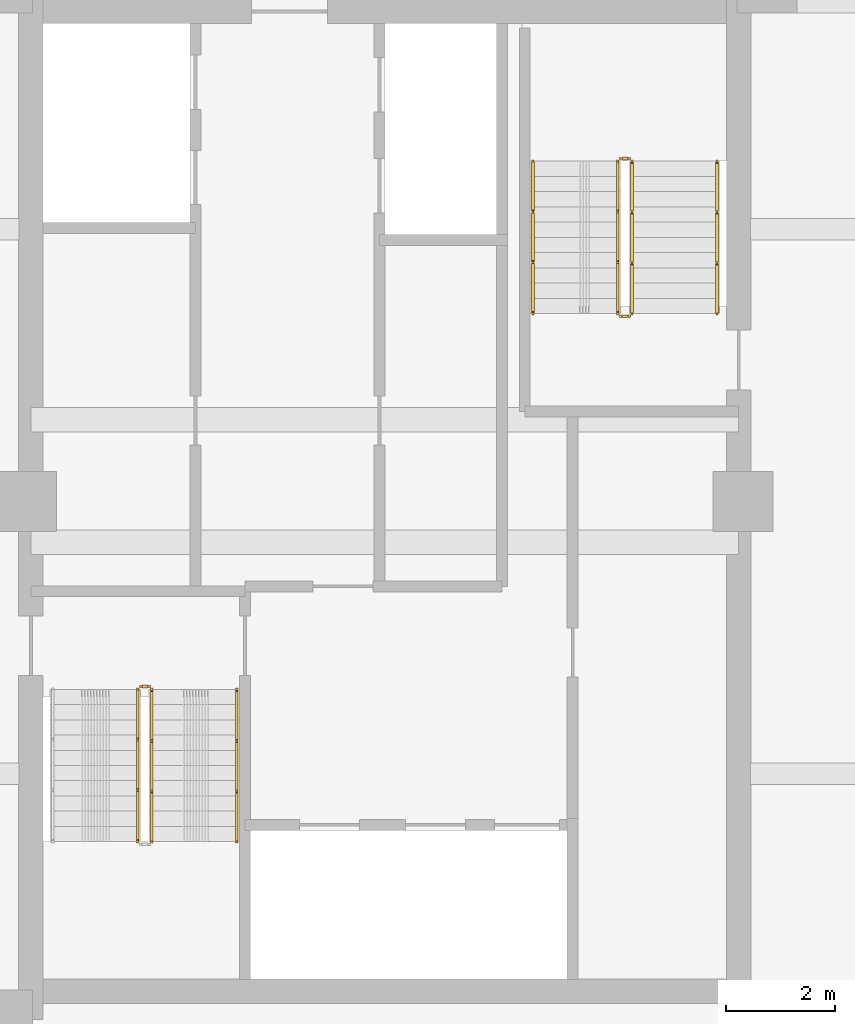
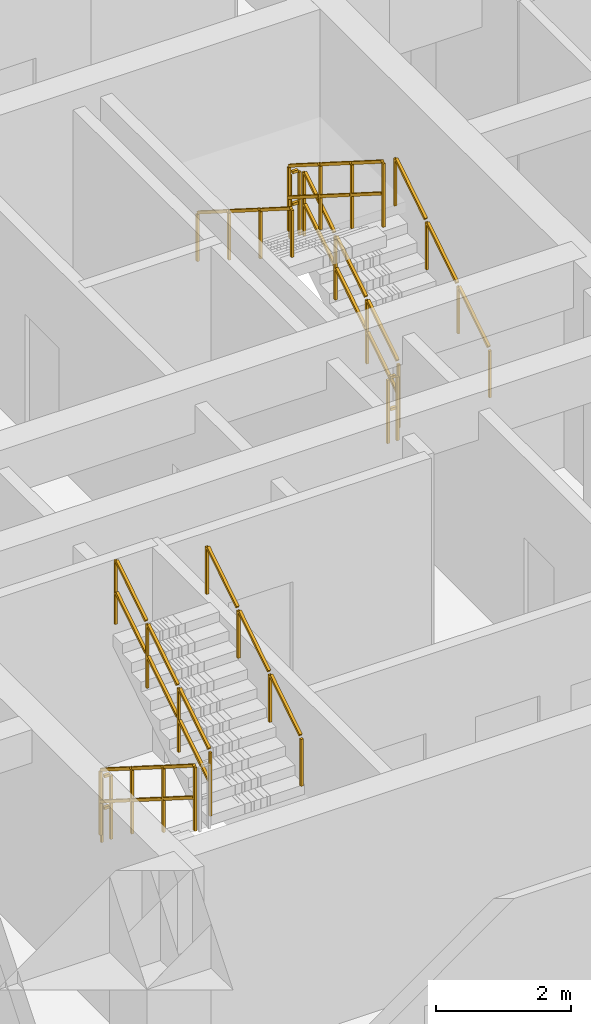
# One storey, part 11 of 13: 10 railings.
"""IFC4 building model written with IfcOpenShell, lengths in metres."""

import ifcopenshell
import ifcopenshell.guid

model = None  # the IFC model being written
_history = None  # IfcOwnerHistory: only IFC2X3 demands one
_inside = {}  # id of a spatial element -> (the spatial element, [elements in it])
_under = {}  # id of a project, library or spatial element -> (it, [spatial elements below it])
_declared = {}  # id of a project -> (the project, [libraries it declares])
_typed = {}  # id of a type object -> (the type object, [elements of that type])
_made_of = {}  # id of a material, layer set ... -> (it, [elements and type objects made of it])


def new_model(schema):
    """Start an empty IFC model of exactly this schema.

    Asked for "IFC4X3", IfcOpenShell would pick the latest addendum, in which some entities
    have other attributes; the version numbers below select the first issue.
    IFC2X3 requires an IfcOwnerHistory on every rooted entity: one is made here for all.
    """
    global model, _history
    if schema == "IFC4X3":
        model = ifcopenshell.file(schema_version=(4, 3, 0, 0))
    else:
        model = ifcopenshell.file(schema=schema)
    _inside.clear()
    _under.clear()
    _declared.clear()
    _typed.clear()
    _made_of.clear()
    _history = None
    if model.schema == "IFC2X3":
        org = make("IfcOrganization", Name="unknown")
        user = make(
            "IfcPersonAndOrganization",
            ThePerson=make("IfcPerson", FamilyName="unknown"),
            TheOrganization=org,
        )
        app = make(
            "IfcApplication",
            ApplicationDeveloper=org,
            Version="unknown",
            ApplicationFullName="unknown",
            ApplicationIdentifier="unknown",
        )
        _history = make(
            "IfcOwnerHistory",
            OwningUser=user,
            OwningApplication=app,
            ChangeAction="ADDED",
            CreationDate=0,
        )
    return model


def make(cls, **values):
    """One entity of the class cls with the attributes given. An attribute that is None is left unset."""
    return model.create_entity(
        cls, **{name: value for name, value in values.items() if value is not None}
    )


def rooted(cls, **values):
    """An entity with a GlobalId (a new one), such as an element, a storey or a relation."""
    return make(cls, GlobalId=ifcopenshell.guid.new(), OwnerHistory=_history, **values)


def si_unit(unit_type, name, prefix=None):
    """IfcSIUnit, for example si_unit("LENGTHUNIT", "METRE", prefix="MILLI")."""
    return make("IfcSIUnit", UnitType=unit_type, Prefix=prefix, Name=name)


def assignment(units):
    """IfcUnitAssignment: the units of a project."""
    return None if units is None else make("IfcUnitAssignment", Units=units)


def point(xyz):
    """IfcCartesianPoint."""
    return None if xyz is None else make("IfcCartesianPoint", Coordinates=xyz)


def direction(xyz):
    """IfcDirection."""
    return None if xyz is None else make("IfcDirection", DirectionRatios=xyz)


def frame(location, z_axis=None, x_axis=None):
    """IfcAxis2Placement3D, a coordinate frame: its origin and axes. An axis left out is left unset."""
    return make(
        "IfcAxis2Placement3D",
        Location=point(location),
        Axis=direction(z_axis),
        RefDirection=direction(x_axis),
    )


def frame_2d(location, x_axis=None):
    """IfcAxis2Placement2D, a coordinate frame in the plane: its origin and x axis."""
    return make(
        "IfcAxis2Placement2D", Location=point(location), RefDirection=direction(x_axis)
    )


def origin():
    """The frame at (0, 0, 0) with its axes left unset."""
    return frame((0.0, 0.0, 0.0))


def origin_2d():
    """The frame at (0, 0) in the plane with its x axis left unset."""
    return frame_2d((0.0, 0.0))


def place(relative_to, where):
    """IfcLocalPlacement: puts the frame where relative to a parent placement (None: the world)."""
    return make(
        "IfcLocalPlacement", PlacementRelTo=relative_to, RelativePlacement=where
    )


def context(
    kind, dimensions, precision=None, world=None, true_north=None, identifier=None
):
    """IfcGeometricRepresentationContext, for example the 3D "Model" context."""
    return make(
        "IfcGeometricRepresentationContext",
        ContextIdentifier=identifier,
        ContextType=kind,
        CoordinateSpaceDimension=dimensions,
        Precision=precision,
        WorldCoordinateSystem=world,
        TrueNorth=true_north,
    )


def subcontext(parent, identifier, kind, view, scale=None):
    """IfcGeometricRepresentationSubContext, for example "Body" below "Model"."""
    return make(
        "IfcGeometricRepresentationSubContext",
        ContextIdentifier=identifier,
        ContextType=kind,
        ParentContext=parent,
        TargetScale=scale,
        TargetView=view,
    )


def project(units=None, contexts=None):
    """IfcProject with its units and contexts."""
    return rooted(
        "IfcProject",
        Name="project",
        RepresentationContexts=contexts,
        UnitsInContext=assignment(units),
    )


def spatial(cls, under=None, at=None, **own):
    """A site, building, storey or space (cls), placed at a placement, below another one or the project."""
    s = rooted(cls, ObjectPlacement=at, **own)
    if under is not None:
        _under.setdefault(under.id(), (under, []))[1].append(s)
    return s


def profile(cls, at=None, kind="AREA", **sizes):
    """A parametric profile (cls). Its sizes go by their IFC names, for example OverallWidth=200.0."""
    return make(cls, ProfileType=kind, Position=at, **sizes)


def rectangle(**sizes):
    """IfcRectangleProfileDef."""
    return profile("IfcRectangleProfileDef", **sizes)


def extrude(swept, where, along, depth):
    """IfcExtrudedAreaSolid: the profile swept, set in the frame where, extruded along a direction by depth."""
    return make(
        "IfcExtrudedAreaSolid",
        SweptArea=swept,
        Position=where,
        ExtrudedDirection=direction(along),
        Depth=depth,
    )


def shape(context_of_items, identifier, shape_type, items):
    """IfcShapeRepresentation: the items that make up one representation, for example the "Body"."""
    return make(
        "IfcShapeRepresentation",
        ContextOfItems=context_of_items,
        RepresentationIdentifier=identifier,
        RepresentationType=shape_type,
        Items=items,
    )


def material(Name=None, Category=None):
    """IfcMaterial."""
    return make("IfcMaterial", Name=Name, Category=Category)


def made_of(thing, what):
    """Note that an element or type object is made of a material, layer set ...; save() writes the relation."""
    if what is not None:
        _made_of.setdefault(what.id(), (what, []))[1].append(thing)
    return thing


def type_object(cls, material=None, **own):
    """A type object (cls), such as IfcWallType, which elements share."""
    return made_of(rooted(cls, **own), material)


def element(
    cls,
    number,
    at=None,
    inside=None,
    cuts=None,
    type_object=None,
    material=None,
    context=None,
    identifier="Body",
    shape_type=None,
    held_by="IfcProductDefinitionShape",
    body=None,
    shapes=None,
    **own,
):
    """One element of the class cls, such as IfcWall. Its Tag is "e" and its number.

    at: its placement. inside: the storey or other place that contains it. cuts: it is an
    opening in that element (IfcRelVoidsElement). A single representation is given by context,
    identifier, shape_type and body (its items); several are given by shapes. held_by: the class
    of the entity that holds the representations. save() writes the other relations.
    """
    e = rooted(cls, Tag="e%d" % number, ObjectPlacement=at, **own)
    if body is not None:
        shapes = [shape(context, identifier, shape_type, body)]
    if shapes is not None:
        e.Representation = make(held_by, Representations=shapes)
    if inside is not None:
        _inside.setdefault(inside.id(), (inside, []))[1].append(e)
    if cuts is not None:
        rooted(
            "IfcRelVoidsElement", RelatingBuildingElement=cuts, RelatedOpeningElement=e
        )
    if type_object is not None:
        _typed.setdefault(type_object.id(), (type_object, []))[1].append(e)
    return made_of(e, material)


def aggregate(whole, parts):
    """IfcRelAggregates: a whole, such as a stair, and the parts it consists of."""
    return rooted("IfcRelAggregates", RelatingObject=whole, RelatedObjects=parts)


def save(model, path):
    """Write the relations noted so far, then the file.

    IfcRelAggregates (storeys below a building ...), IfcRelContainedInSpatialStructure (elements
    in a storey), IfcRelDefinesByType, IfcRelAssociatesMaterial and IfcRelDeclares: one each for
    every whole, place, type object, material and project.
    """
    for whole, parts in _under.values():
        aggregate(whole, parts)
    for where, things in _inside.values():
        rooted(
            "IfcRelContainedInSpatialStructure",
            RelatedElements=things,
            RelatingStructure=where,
        )
    for kind, things in _typed.values():
        rooted("IfcRelDefinesByType", RelatedObjects=things, RelatingType=kind)
    for what, things in _made_of.values():
        rooted("IfcRelAssociatesMaterial", RelatedObjects=things, RelatingMaterial=what)
    for by, libraries in _declared.values():
        rooted("IfcRelDeclares", RelatingContext=by, RelatedDefinitions=libraries)
    model.write(path)


model = new_model("IFC4")

# Units and contexts
model_context = context("Model", 3, precision=1e-05, world=origin(), true_north=direction((0.0, 1.0)))
body_context = subcontext(model_context, "Body", "Model", "MODEL_VIEW")
ifc_project = project(units=[si_unit("LENGTHUNIT", "METRE"), si_unit("AREAUNIT", "SQUARE_METRE"), si_unit("VOLUMEUNIT", "CUBIC_METRE"), si_unit("PLANEANGLEUNIT", "RADIAN"), si_unit("MASSUNIT", "GRAM", prefix="KILO")], contexts=[model_context])

# Site, building, storey
site_placement = place(None, origin())
site = spatial("IfcSite", under=ifc_project, at=site_placement, CompositionType="ELEMENT")
building_placement = place(site_placement, origin())
building = spatial("IfcBuilding", under=site, at=building_placement, Name="Saelheon Loggia Tower", CompositionType="ELEMENT")
storey_placement = place(building_placement, frame((0.0, 0.0, 192.699951171875)))
storey = spatial("IfcBuildingStorey", under=building, at=storey_placement, Name="L60", CompositionType="ELEMENT", Elevation=192.699951171875)

# Railings
ifc_material_1 = material(Name="Galvanised Steel S275 Stairwell Guardrail", Category="steel")
railing_type_1 = type_object("IfcRailingType", Name="Guard_StairWell_RL_STG", PredefinedType="GUARDRAIL", material=ifc_material_1)
railing_1_placement = place(storey_placement, frame((33.4599609375, 23.550048828125, 0.17724609375)))
element("IfcRailing", 1, at=railing_1_placement, inside=storey, type_object=railing_type_1, Name="L60 ST1 stair guard 1", PredefinedType="GUARDRAIL", context=body_context, shape_type="SweptSolid", body=[
    extrude(rectangle(XDim=0.048095703125, YDim=0.048095703125, at=origin_2d()), frame((0.0, -0.028076171875, 1.193603515625), z_axis=(0.0, -0.844908973607, 0.534910110503), x_axis=(1.0, 0.0, 0.0)), (0.0, 0.0, 1.0), 1.0380859375),
    extrude(rectangle(XDim=0.048095703125, YDim=0.048095703125, at=origin_2d()), frame((0.0, -0.028076171875, 0.61767578125), z_axis=(0.0, -0.844908973607, 0.534910110503), x_axis=(1.0, 0.0, 0.0)), (0.0, 0.0, 1.0), 1.0380859375),
    extrude(rectangle(XDim=0.048095703125, YDim=0.048095703125, at=origin_2d()), frame((0.0, -0.96142578125, 1.78466796875), z_axis=(0.0, -0.844908973607, 0.534910110503), x_axis=(1.0, 0.0, 0.0)), (0.0, 0.0, 1.0), 1.0380859375),
    extrude(rectangle(XDim=0.048095703125, YDim=0.048095703125, at=origin_2d()), frame((0.0, -0.96142578125, 1.208740234375), z_axis=(0.0, -0.844908973607, 0.534910110503), x_axis=(1.0, 0.0, 0.0)), (0.0, 0.0, 1.0), 1.0380859375),
    extrude(rectangle(XDim=0.048095703125, YDim=0.048095703125, at=origin_2d()), frame((0.0, -1.894775390625, 2.37548828125), z_axis=(0.0, -0.844908973607, 0.534910110503), x_axis=(1.0, 0.0, 0.0)), (0.0, 0.0, 1.0), 1.0380859375),
    extrude(rectangle(XDim=0.048095703125, YDim=0.048095703125, at=origin_2d()), frame((0.0, -1.894775390625, 1.799560546875), z_axis=(0.0, -0.844908973607, 0.534910110503), x_axis=(1.0, 0.0, 0.0)), (0.0, 0.0, 1.0), 1.0380859375),
    extrude(rectangle(XDim=0.0419921875, YDim=0.0419921875, at=origin_2d()), origin(), (0.0, 0.0, 1.0), 1.14794921875),
    extrude(rectangle(XDim=0.0419921875, YDim=0.0419921875, at=origin_2d()), frame((0.0, -0.933349609375, 0.5908203125)), (0.0, 0.0, 1.0), 1.14794921875),
    extrude(rectangle(XDim=0.0419921875, YDim=0.0419921875, at=origin_2d()), frame((0.0, -1.86669921875, 1.181884765625)), (0.0, 0.0, 1.0), 1.14794921875),
    extrude(rectangle(XDim=0.0419921875, YDim=0.0419921875, at=origin_2d()), frame((0.0, -2.800048828125, 1.772705078125)), (0.0, 0.0, 1.0), 1.14794921875),
])
railing_2_placement = place(storey_placement, frame((33.719970703125, 20.75, 2.12744140625)))
element("IfcRailing", 2, at=railing_2_placement, inside=storey, type_object=railing_type_1, Name="L60 ST1 stair guard 3", PredefinedType="GUARDRAIL", context=body_context, shape_type="SweptSolid", body=[
    extrude(rectangle(XDim=0.048095703125, YDim=0.048095703125, at=origin_2d()), frame((0.0, 0.028076171875, 1.193603515625), z_axis=(0.0, 0.844908973607, 0.534910110503), x_axis=(-1.0, 0.0, 0.0)), (0.0, 0.0, 1.0), 1.0380859375),
    extrude(rectangle(XDim=0.048095703125, YDim=0.048095703125, at=origin_2d()), frame((0.0, 0.028076171875, 0.61767578125), z_axis=(0.0, 0.844908973607, 0.534910110503), x_axis=(-1.0, 0.0, 0.0)), (0.0, 0.0, 1.0), 1.0380859375),
    extrude(rectangle(XDim=0.048095703125, YDim=0.048095703125, at=origin_2d()), frame((0.0, 0.96142578125, 1.78466796875), z_axis=(0.0, 0.844908973607, 0.534910110503), x_axis=(-1.0, 0.0, 0.0)), (0.0, 0.0, 1.0), 1.0380859375),
    extrude(rectangle(XDim=0.048095703125, YDim=0.048095703125, at=origin_2d()), frame((0.0, 0.96142578125, 1.208740234375), z_axis=(0.0, 0.844908973607, 0.534910110503), x_axis=(-1.0, 0.0, 0.0)), (0.0, 0.0, 1.0), 1.0380859375),
    extrude(rectangle(XDim=0.048095703125, YDim=0.048095703125, at=origin_2d()), frame((0.0, 1.894775390625, 2.37548828125), z_axis=(0.0, 0.844908973607, 0.534910110503), x_axis=(-1.0, 0.0, 0.0)), (0.0, 0.0, 1.0), 1.0380859375),
    extrude(rectangle(XDim=0.048095703125, YDim=0.048095703125, at=origin_2d()), frame((0.0, 1.894775390625, 1.799560546875), z_axis=(0.0, 0.844908973607, 0.534910110503), x_axis=(-1.0, 0.0, 0.0)), (0.0, 0.0, 1.0), 1.0380859375),
    extrude(rectangle(XDim=0.0419921875, YDim=0.0419921875, at=origin_2d()), origin(), (0.0, 0.0, 1.0), 1.14794921875),
    extrude(rectangle(XDim=0.0419921875, YDim=0.0419921875, at=origin_2d()), frame((0.0, 0.933349609375, 0.5908203125)), (0.0, 0.0, 1.0), 1.14794921875),
    extrude(rectangle(XDim=0.0419921875, YDim=0.0419921875, at=origin_2d()), frame((0.0, 1.86669921875, 1.181884765625)), (0.0, 0.0, 1.0), 1.14794921875),
    extrude(rectangle(XDim=0.0419921875, YDim=0.0419921875, at=origin_2d()), frame((0.0, 2.800048828125, 1.772705078125)), (0.0, 0.0, 1.0), 1.14794921875),
])
railing_3_placement = place(storey_placement, frame((33.510009765625, 23.60009765625, 0.0)))
element("IfcRailing", 3, at=railing_3_placement, inside=storey, type_object=railing_type_1, Name="L60 ST1 stair guard 4", PredefinedType="GUARDRAIL", context=body_context, shape_type="SweptSolid", body=[
    extrude(rectangle(XDim=0.048095703125, YDim=0.048095703125, at=origin_2d()), frame((0.033203125, 0.0, 1.17578125), z_axis=(1.0, 0.0, 0.0), x_axis=(0.0, 1.0, 0.0)), (0.0, 0.0, 1.0), 0.093505859375),
    extrude(rectangle(XDim=0.048095703125, YDim=0.048095703125, at=origin_2d()), frame((0.033203125, 0.0, 0.60009765625), z_axis=(1.0, 0.0, 0.0), x_axis=(0.0, 1.0, 0.0)), (0.0, 0.0, 1.0), 0.093505859375),
    extrude(rectangle(XDim=0.0419921875, YDim=0.0419921875, at=origin_2d()), origin(), (0.0, 0.0, 1.0), 1.14794921875),
    extrude(rectangle(XDim=0.0419921875, YDim=0.0419921875, at=origin_2d()), frame((0.159912109375, 0.0, 0.0)), (0.0, 0.0, 1.0), 1.14794921875),
])
railing_4_placement = place(storey_placement, frame((42.5400390625, 30.449951171875, 0.17724609375)))
element("IfcRailing", 4, at=railing_4_placement, inside=storey, type_object=railing_type_1, Name="L60 ST2 stair guard 1", PredefinedType="GUARDRAIL", context=body_context, shape_type="SweptSolid", body=[
    extrude(rectangle(XDim=0.048095703125, YDim=0.048095703125, at=origin_2d()), frame((0.0, 0.028076171875, 1.193603515625), z_axis=(0.0, 0.844908973607, 0.534910110503), x_axis=(-1.0, 0.0, 0.0)), (0.0, 0.0, 1.0), 1.0380859375),
    extrude(rectangle(XDim=0.048095703125, YDim=0.048095703125, at=origin_2d()), frame((0.0, 0.028076171875, 0.61767578125), z_axis=(0.0, 0.844908973607, 0.534910110503), x_axis=(-1.0, 0.0, 0.0)), (0.0, 0.0, 1.0), 1.0380859375),
    extrude(rectangle(XDim=0.048095703125, YDim=0.048095703125, at=origin_2d()), frame((0.0, 0.96142578125, 1.78466796875), z_axis=(0.0, 0.844908973607, 0.534910110503), x_axis=(-1.0, 0.0, 0.0)), (0.0, 0.0, 1.0), 1.0380859375),
    extrude(rectangle(XDim=0.048095703125, YDim=0.048095703125, at=origin_2d()), frame((0.0, 0.96142578125, 1.208740234375), z_axis=(0.0, 0.844908973607, 0.534910110503), x_axis=(-1.0, 0.0, 0.0)), (0.0, 0.0, 1.0), 1.0380859375),
    extrude(rectangle(XDim=0.048095703125, YDim=0.048095703125, at=origin_2d()), frame((0.0, 1.894775390625, 2.37548828125), z_axis=(0.0, 0.844908973607, 0.534910110503), x_axis=(-1.0, 0.0, 0.0)), (0.0, 0.0, 1.0), 1.0380859375),
    extrude(rectangle(XDim=0.048095703125, YDim=0.048095703125, at=origin_2d()), frame((0.0, 1.894775390625, 1.799560546875), z_axis=(0.0, 0.844908973607, 0.534910110503), x_axis=(-1.0, 0.0, 0.0)), (0.0, 0.0, 1.0), 1.0380859375),
    extrude(rectangle(XDim=0.0419921875, YDim=0.0419921875, at=origin_2d()), origin(), (0.0, 0.0, 1.0), 1.14794921875),
    extrude(rectangle(XDim=0.0419921875, YDim=0.0419921875, at=origin_2d()), frame((0.0, 0.933349609375, 0.5908203125)), (0.0, 0.0, 1.0), 1.14794921875),
    extrude(rectangle(XDim=0.0419921875, YDim=0.0419921875, at=origin_2d()), frame((0.0, 1.86669921875, 1.181884765625)), (0.0, 0.0, 1.0), 1.14794921875),
    extrude(rectangle(XDim=0.0419921875, YDim=0.0419921875, at=origin_2d()), frame((0.0, 2.800048828125, 1.772705078125)), (0.0, 0.0, 1.0), 1.14794921875),
])
railing_5_placement = place(storey_placement, frame((42.489990234375, 33.300048828125, 1.949951171875)))
element("IfcRailing", 5, at=railing_5_placement, inside=storey, type_object=railing_type_1, Name="L60 ST2 stair guard 2", PredefinedType="GUARDRAIL", context=body_context, shape_type="SweptSolid", body=[
    extrude(rectangle(XDim=0.048095703125, YDim=0.048095703125, at=origin_2d()), frame((-0.033203125, 0.0, 1.17578125), z_axis=(-1.0, 0.0, 0.0), x_axis=(0.0, -1.0, 0.0)), (0.0, 0.0, 1.0), 0.093505859375),
    extrude(rectangle(XDim=0.048095703125, YDim=0.048095703125, at=origin_2d()), frame((-0.033203125, 0.0, 0.60009765625), z_axis=(-1.0, 0.0, 0.0), x_axis=(0.0, -1.0, 0.0)), (0.0, 0.0, 1.0), 0.093505859375),
    extrude(rectangle(XDim=0.0419921875, YDim=0.0419921875, at=origin_2d()), origin(), (0.0, 0.0, 1.0), 1.14794921875),
    extrude(rectangle(XDim=0.0419921875, YDim=0.0419921875, at=origin_2d()), frame((-0.159912109375, 0.0, 0.0)), (0.0, 0.0, 1.0), 1.14794921875),
])
railing_6_placement = place(storey_placement, frame((42.280029296875, 33.25, 2.12744140625)))
element("IfcRailing", 6, at=railing_6_placement, inside=storey, type_object=railing_type_1, Name="L60 ST2 stair guard 3", PredefinedType="GUARDRAIL", context=body_context, shape_type="SweptSolid", body=[
    extrude(rectangle(XDim=0.048095703125, YDim=0.048095703125, at=origin_2d()), frame((0.0, -0.028076171875, 1.193603515625), z_axis=(0.0, -0.844908973607, 0.534910110503), x_axis=(1.0, 0.0, 0.0)), (0.0, 0.0, 1.0), 1.0380859375),
    extrude(rectangle(XDim=0.048095703125, YDim=0.048095703125, at=origin_2d()), frame((0.0, -0.028076171875, 0.61767578125), z_axis=(0.0, -0.844908973607, 0.534910110503), x_axis=(1.0, 0.0, 0.0)), (0.0, 0.0, 1.0), 1.0380859375),
    extrude(rectangle(XDim=0.048095703125, YDim=0.048095703125, at=origin_2d()), frame((0.0, -0.96142578125, 1.78466796875), z_axis=(0.0, -0.844908973607, 0.534910110503), x_axis=(1.0, 0.0, 0.0)), (0.0, 0.0, 1.0), 1.0380859375),
    extrude(rectangle(XDim=0.048095703125, YDim=0.048095703125, at=origin_2d()), frame((0.0, -0.96142578125, 1.208740234375), z_axis=(0.0, -0.844908973607, 0.534910110503), x_axis=(1.0, 0.0, 0.0)), (0.0, 0.0, 1.0), 1.0380859375),
    extrude(rectangle(XDim=0.048095703125, YDim=0.048095703125, at=origin_2d()), frame((0.0, -1.894775390625, 2.37548828125), z_axis=(0.0, -0.844908973607, 0.534910110503), x_axis=(1.0, 0.0, 0.0)), (0.0, 0.0, 1.0), 1.0380859375),
    extrude(rectangle(XDim=0.048095703125, YDim=0.048095703125, at=origin_2d()), frame((0.0, -1.894775390625, 1.799560546875), z_axis=(0.0, -0.844908973607, 0.534910110503), x_axis=(1.0, 0.0, 0.0)), (0.0, 0.0, 1.0), 1.0380859375),
    extrude(rectangle(XDim=0.0419921875, YDim=0.0419921875, at=origin_2d()), origin(), (0.0, 0.0, 1.0), 1.14794921875),
    extrude(rectangle(XDim=0.0419921875, YDim=0.0419921875, at=origin_2d()), frame((0.0, -0.933349609375, 0.5908203125)), (0.0, 0.0, 1.0), 1.14794921875),
    extrude(rectangle(XDim=0.0419921875, YDim=0.0419921875, at=origin_2d()), frame((0.0, -1.86669921875, 1.181884765625)), (0.0, 0.0, 1.0), 1.14794921875),
    extrude(rectangle(XDim=0.0419921875, YDim=0.0419921875, at=origin_2d()), frame((0.0, -2.800048828125, 1.772705078125)), (0.0, 0.0, 1.0), 1.14794921875),
])
railing_7_placement = place(storey_placement, frame((42.489990234375, 30.39990234375, 0.0)))
element("IfcRailing", 7, at=railing_7_placement, inside=storey, type_object=railing_type_1, Name="L60 ST2 stair guard 4", PredefinedType="GUARDRAIL", context=body_context, shape_type="SweptSolid", body=[
    extrude(rectangle(XDim=0.048095703125, YDim=0.048095703125, at=origin_2d()), frame((-0.033203125, 0.0, 1.17578125), z_axis=(-1.0, 0.0, 0.0), x_axis=(0.0, -1.0, 0.0)), (0.0, 0.0, 1.0), 0.093505859375),
    extrude(rectangle(XDim=0.048095703125, YDim=0.048095703125, at=origin_2d()), frame((-0.033203125, 0.0, 0.60009765625), z_axis=(-1.0, 0.0, 0.0), x_axis=(0.0, -1.0, 0.0)), (0.0, 0.0, 1.0), 0.093505859375),
    extrude(rectangle(XDim=0.0419921875, YDim=0.0419921875, at=origin_2d()), origin(), (0.0, 0.0, 1.0), 1.14794921875),
    extrude(rectangle(XDim=0.0419921875, YDim=0.0419921875, at=origin_2d()), frame((-0.159912109375, 0.0, 0.0)), (0.0, 0.0, 1.0), 1.14794921875),
])
ifc_material_2 = material(Name="Stainless Steel 304 Tubular Handrail", Category="steel")
railing_type_2 = type_object("IfcRailingType", Name="Handrail_Stair_RL_HR1", PredefinedType="HANDRAIL", material=ifc_material_2)
for number, where, name in (
    (8, (35.280029296875, 20.75, 2.12744140625), "L60 ST1 stair handrail 2"),
    (9, (44.10009765625, 30.449951171875, 0.17724609375), "L60 ST2 stair handrail 1"),
):
    element("IfcRailing", number, at=place(storey_placement, frame(where)), inside=storey, type_object=railing_type_2, Name=name, PredefinedType="HANDRAIL", context=body_context, shape_type="SweptSolid", body=[
        extrude(rectangle(XDim=0.048095703125, YDim=0.048095703125, at=origin_2d()), frame((0.0, 0.028076171875, 0.8935546875), z_axis=(0.0, 0.844908973607, 0.534910110503), x_axis=(-1.0, 0.0, 0.0)), (0.0, 0.0, 1.0), 1.0380859375),
        extrude(rectangle(XDim=0.048095703125, YDim=0.048095703125, at=origin_2d()), frame((0.0, 0.96142578125, 1.484619140625), z_axis=(0.0, 0.844908973607, 0.534910110503), x_axis=(-1.0, 0.0, 0.0)), (0.0, 0.0, 1.0), 1.0380859375),
        extrude(rectangle(XDim=0.048095703125, YDim=0.048095703125, at=origin_2d()), frame((0.0, 1.894775390625, 2.075439453125), z_axis=(0.0, 0.844908973607, 0.534910110503), x_axis=(-1.0, 0.0, 0.0)), (0.0, 0.0, 1.0), 1.0380859375),
        extrude(rectangle(XDim=0.0419921875, YDim=0.0419921875, at=origin_2d()), origin(), (0.0, 0.0, 1.0), 0.847900390625),
        extrude(rectangle(XDim=0.0419921875, YDim=0.0419921875, at=origin_2d()), frame((0.0, 0.933349609375, 0.5908203125)), (0.0, 0.0, 1.0), 0.847900390625),
        extrude(rectangle(XDim=0.0419921875, YDim=0.0419921875, at=origin_2d()), frame((0.0, 1.86669921875, 1.181884765625)), (0.0, 0.0, 1.0), 0.847900390625),
        extrude(rectangle(XDim=0.0419921875, YDim=0.0419921875, at=origin_2d()), frame((0.0, 2.800048828125, 1.772705078125)), (0.0, 0.0, 1.0), 0.847900390625),
    ])
railing_8_placement = place(storey_placement, frame((40.719970703125, 33.25, 2.12744140625)))
element("IfcRailing", 10, at=railing_8_placement, inside=storey, type_object=railing_type_2, Name="L60 ST2 stair handrail 2", PredefinedType="HANDRAIL", context=body_context, shape_type="SweptSolid", body=[
    extrude(rectangle(XDim=0.048095703125, YDim=0.048095703125, at=origin_2d()), frame((0.0, -0.028076171875, 0.8935546875), z_axis=(0.0, -0.844908973607, 0.534910110503), x_axis=(1.0, 0.0, 0.0)), (0.0, 0.0, 1.0), 1.0380859375),
    extrude(rectangle(XDim=0.048095703125, YDim=0.048095703125, at=origin_2d()), frame((0.0, -0.96142578125, 1.484619140625), z_axis=(0.0, -0.844908973607, 0.534910110503), x_axis=(1.0, 0.0, 0.0)), (0.0, 0.0, 1.0), 1.0380859375),
    extrude(rectangle(XDim=0.048095703125, YDim=0.048095703125, at=origin_2d()), frame((0.0, -1.894775390625, 2.075439453125), z_axis=(0.0, -0.844908973607, 0.534910110503), x_axis=(1.0, 0.0, 0.0)), (0.0, 0.0, 1.0), 1.0380859375),
    extrude(rectangle(XDim=0.0419921875, YDim=0.0419921875, at=origin_2d()), origin(), (0.0, 0.0, 1.0), 0.847900390625),
    extrude(rectangle(XDim=0.0419921875, YDim=0.0419921875, at=origin_2d()), frame((0.0, -0.933349609375, 0.5908203125)), (0.0, 0.0, 1.0), 0.847900390625),
    extrude(rectangle(XDim=0.0419921875, YDim=0.0419921875, at=origin_2d()), frame((0.0, -1.86669921875, 1.181884765625)), (0.0, 0.0, 1.0), 0.847900390625),
    extrude(rectangle(XDim=0.0419921875, YDim=0.0419921875, at=origin_2d()), frame((0.0, -2.800048828125, 1.772705078125)), (0.0, 0.0, 1.0), 0.847900390625),
])

save(model, "model.ifc")
